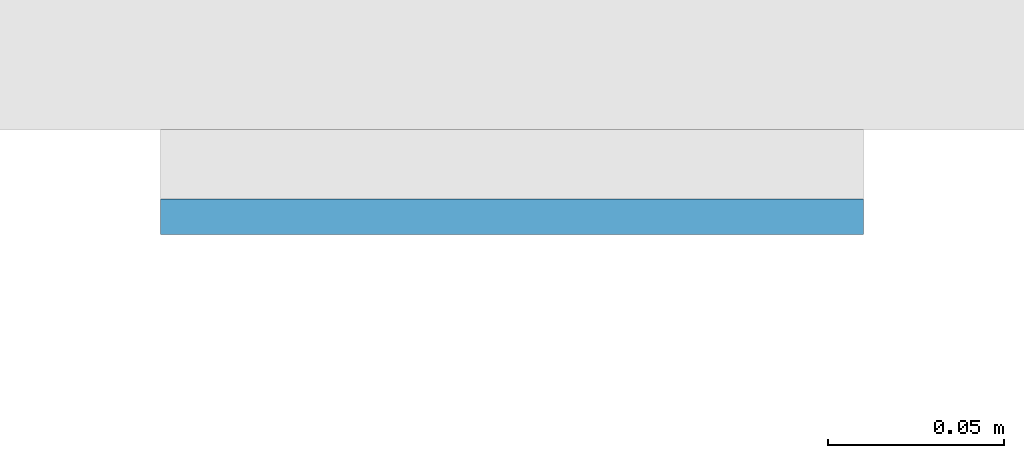
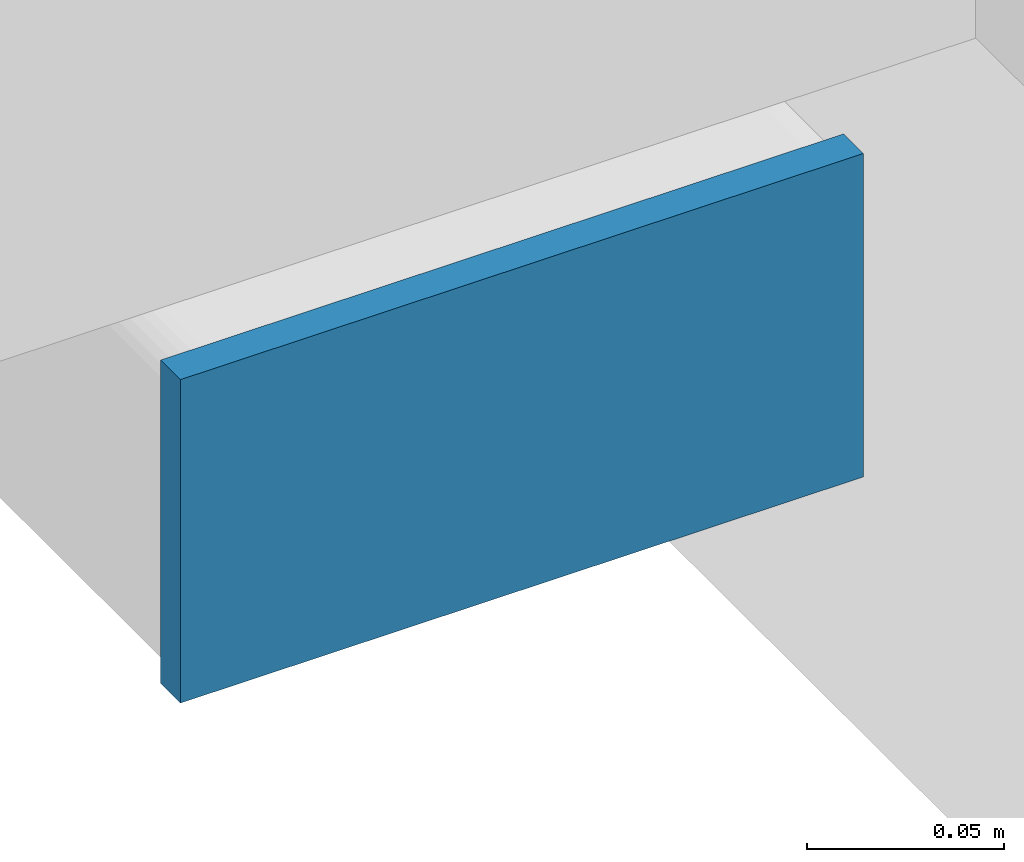
# One storey, part 8 of 20: 1 plate.
"""IFC4 building model written with IfcOpenShell, lengths in metres."""

import ifcopenshell
import ifcopenshell.guid

model = None  # the IFC model being written
_history = None  # IfcOwnerHistory: only IFC2X3 demands one
_inside = {}  # id of a spatial element -> (the spatial element, [elements in it])
_under = {}  # id of a project, library or spatial element -> (it, [spatial elements below it])
_declared = {}  # id of a project -> (the project, [libraries it declares])
_typed = {}  # id of a type object -> (the type object, [elements of that type])
_made_of = {}  # id of a material, layer set ... -> (it, [elements and type objects made of it])


def new_model(schema):
    """Start an empty IFC model of exactly this schema.

    Asked for "IFC4X3", IfcOpenShell would pick the latest addendum, in which some entities
    have other attributes; the version numbers below select the first issue.
    IFC2X3 requires an IfcOwnerHistory on every rooted entity: one is made here for all.
    """
    global model, _history
    if schema == "IFC4X3":
        model = ifcopenshell.file(schema_version=(4, 3, 0, 0))
    else:
        model = ifcopenshell.file(schema=schema)
    _inside.clear()
    _under.clear()
    _declared.clear()
    _typed.clear()
    _made_of.clear()
    _history = None
    if model.schema == "IFC2X3":
        org = make("IfcOrganization", Name="unknown")
        user = make(
            "IfcPersonAndOrganization",
            ThePerson=make("IfcPerson", FamilyName="unknown"),
            TheOrganization=org,
        )
        app = make(
            "IfcApplication",
            ApplicationDeveloper=org,
            Version="unknown",
            ApplicationFullName="unknown",
            ApplicationIdentifier="unknown",
        )
        _history = make(
            "IfcOwnerHistory",
            OwningUser=user,
            OwningApplication=app,
            ChangeAction="ADDED",
            CreationDate=0,
        )
    return model


def make(cls, **values):
    """One entity of the class cls with the attributes given. An attribute that is None is left unset."""
    return model.create_entity(
        cls, **{name: value for name, value in values.items() if value is not None}
    )


def rooted(cls, **values):
    """An entity with a GlobalId (a new one), such as an element, a storey or a relation."""
    return make(cls, GlobalId=ifcopenshell.guid.new(), OwnerHistory=_history, **values)


def si_unit(unit_type, name, prefix=None):
    """IfcSIUnit, for example si_unit("LENGTHUNIT", "METRE", prefix="MILLI")."""
    return make("IfcSIUnit", UnitType=unit_type, Prefix=prefix, Name=name)


def assignment(units):
    """IfcUnitAssignment: the units of a project."""
    return None if units is None else make("IfcUnitAssignment", Units=units)


def point(xyz):
    """IfcCartesianPoint."""
    return None if xyz is None else make("IfcCartesianPoint", Coordinates=xyz)


def direction(xyz):
    """IfcDirection."""
    return None if xyz is None else make("IfcDirection", DirectionRatios=xyz)


def frame(location, z_axis=None, x_axis=None):
    """IfcAxis2Placement3D, a coordinate frame: its origin and axes. An axis left out is left unset."""
    return make(
        "IfcAxis2Placement3D",
        Location=point(location),
        Axis=direction(z_axis),
        RefDirection=direction(x_axis),
    )


def frame_2d(location, x_axis=None):
    """IfcAxis2Placement2D, a coordinate frame in the plane: its origin and x axis."""
    return make(
        "IfcAxis2Placement2D", Location=point(location), RefDirection=direction(x_axis)
    )


def origin():
    """The frame at (0, 0, 0) with its axes left unset."""
    return frame((0.0, 0.0, 0.0))


def origin_2d():
    """The frame at (0, 0) in the plane with its x axis left unset."""
    return frame_2d((0.0, 0.0))


def place(relative_to, where):
    """IfcLocalPlacement: puts the frame where relative to a parent placement (None: the world)."""
    return make(
        "IfcLocalPlacement", PlacementRelTo=relative_to, RelativePlacement=where
    )


def context(
    kind, dimensions, precision=None, world=None, true_north=None, identifier=None
):
    """IfcGeometricRepresentationContext, for example the 3D "Model" context."""
    return make(
        "IfcGeometricRepresentationContext",
        ContextIdentifier=identifier,
        ContextType=kind,
        CoordinateSpaceDimension=dimensions,
        Precision=precision,
        WorldCoordinateSystem=world,
        TrueNorth=true_north,
    )


def subcontext(parent, identifier, kind, view, scale=None):
    """IfcGeometricRepresentationSubContext, for example "Body" below "Model"."""
    return make(
        "IfcGeometricRepresentationSubContext",
        ContextIdentifier=identifier,
        ContextType=kind,
        ParentContext=parent,
        TargetScale=scale,
        TargetView=view,
    )


def project(units=None, contexts=None):
    """IfcProject with its units and contexts."""
    return rooted(
        "IfcProject",
        Name="project",
        RepresentationContexts=contexts,
        UnitsInContext=assignment(units),
    )


def spatial(cls, under=None, at=None, **own):
    """A site, building, storey or space (cls), placed at a placement, below another one or the project."""
    s = rooted(cls, ObjectPlacement=at, **own)
    if under is not None:
        _under.setdefault(under.id(), (under, []))[1].append(s)
    return s


def profile(cls, at=None, kind="AREA", **sizes):
    """A parametric profile (cls). Its sizes go by their IFC names, for example OverallWidth=200.0."""
    return make(cls, ProfileType=kind, Position=at, **sizes)


def rectangle(**sizes):
    """IfcRectangleProfileDef."""
    return profile("IfcRectangleProfileDef", **sizes)


def extrude(swept, where, along, depth):
    """IfcExtrudedAreaSolid: the profile swept, set in the frame where, extruded along a direction by depth."""
    return make(
        "IfcExtrudedAreaSolid",
        SweptArea=swept,
        Position=where,
        ExtrudedDirection=direction(along),
        Depth=depth,
    )


def shape(context_of_items, identifier, shape_type, items):
    """IfcShapeRepresentation: the items that make up one representation, for example the "Body"."""
    return make(
        "IfcShapeRepresentation",
        ContextOfItems=context_of_items,
        RepresentationIdentifier=identifier,
        RepresentationType=shape_type,
        Items=items,
    )


def material(Name=None, Category=None):
    """IfcMaterial."""
    return make("IfcMaterial", Name=Name, Category=Category)


def layer(
    of_material, thickness, ventilated=None, Name=None, Category=None, Priority=None
):
    """IfcMaterialLayer: one layer of a wall or slab, of a material (None: an air gap)."""
    return make(
        "IfcMaterialLayer",
        Material=of_material,
        LayerThickness=thickness,
        IsVentilated=ventilated,
        Name=Name,
        Category=Category,
        Priority=Priority,
    )


def layer_set(layers, Name=None):
    """IfcMaterialLayerSet."""
    return make("IfcMaterialLayerSet", MaterialLayers=layers, LayerSetName=Name)


def made_of(thing, what):
    """Note that an element or type object is made of a material, layer set ...; save() writes the relation."""
    if what is not None:
        _made_of.setdefault(what.id(), (what, []))[1].append(thing)
    return thing


def type_object(cls, material=None, **own):
    """A type object (cls), such as IfcWallType, which elements share."""
    return made_of(rooted(cls, **own), material)


def element(
    cls,
    number,
    at=None,
    inside=None,
    cuts=None,
    type_object=None,
    material=None,
    context=None,
    identifier="Body",
    shape_type=None,
    held_by="IfcProductDefinitionShape",
    body=None,
    shapes=None,
    **own,
):
    """One element of the class cls, such as IfcWall. Its Tag is "e" and its number.

    at: its placement. inside: the storey or other place that contains it. cuts: it is an
    opening in that element (IfcRelVoidsElement). A single representation is given by context,
    identifier, shape_type and body (its items); several are given by shapes. held_by: the class
    of the entity that holds the representations. save() writes the other relations.
    """
    e = rooted(cls, Tag="e%d" % number, ObjectPlacement=at, **own)
    if body is not None:
        shapes = [shape(context, identifier, shape_type, body)]
    if shapes is not None:
        e.Representation = make(held_by, Representations=shapes)
    if inside is not None:
        _inside.setdefault(inside.id(), (inside, []))[1].append(e)
    if cuts is not None:
        rooted(
            "IfcRelVoidsElement", RelatingBuildingElement=cuts, RelatedOpeningElement=e
        )
    if type_object is not None:
        _typed.setdefault(type_object.id(), (type_object, []))[1].append(e)
    return made_of(e, material)


def aggregate(whole, parts):
    """IfcRelAggregates: a whole, such as a stair, and the parts it consists of."""
    return rooted("IfcRelAggregates", RelatingObject=whole, RelatedObjects=parts)


def save(model, path):
    """Write the relations noted so far, then the file.

    IfcRelAggregates (storeys below a building ...), IfcRelContainedInSpatialStructure (elements
    in a storey), IfcRelDefinesByType, IfcRelAssociatesMaterial and IfcRelDeclares: one each for
    every whole, place, type object, material and project.
    """
    for whole, parts in _under.values():
        aggregate(whole, parts)
    for where, things in _inside.values():
        rooted(
            "IfcRelContainedInSpatialStructure",
            RelatedElements=things,
            RelatingStructure=where,
        )
    for kind, things in _typed.values():
        rooted("IfcRelDefinesByType", RelatedObjects=things, RelatingType=kind)
    for what, things in _made_of.values():
        rooted("IfcRelAssociatesMaterial", RelatedObjects=things, RelatingMaterial=what)
    for by, libraries in _declared.values():
        rooted("IfcRelDeclares", RelatingContext=by, RelatedDefinitions=libraries)
    model.write(path)


model = new_model("IFC4")

# Units and contexts
model_context = context("Model", 3, precision=1e-05, world=origin(), true_north=direction((0.0, 1.0)))
body_context = subcontext(model_context, "Body", "Model", "MODEL_VIEW")
ifc_project = project(units=[si_unit("LENGTHUNIT", "METRE"), si_unit("AREAUNIT", "SQUARE_METRE"), si_unit("VOLUMEUNIT", "CUBIC_METRE"), si_unit("PLANEANGLEUNIT", "RADIAN"), si_unit("MASSUNIT", "GRAM", prefix="KILO")], contexts=[model_context])

# Site, building, storey
site_placement = place(None, origin())
site = spatial("IfcSite", under=ifc_project, at=site_placement, CompositionType="ELEMENT")
building_placement = place(site_placement, origin())
building = spatial("IfcBuilding", under=site, at=building_placement, Name="Cleftline Residences", CompositionType="ELEMENT")
storey_placement = place(building_placement, frame((0.0, 0.0, 54.800048828125)))
storey = spatial("IfcBuildingStorey", under=building, at=storey_placement, Name="L13", CompositionType="ELEMENT", Elevation=54.800048828125)

# Plate
ifc_material = material(Name="Steel S355, hot-dip galvanised", Category="steel")
ifc_layer = layer(ifc_material, 0.010009765625)
ifc_layer_set = layer_set([ifc_layer], Name="BAGUETTE CARRIER END PLATE 200X100X10")
plate_type = type_object("IfcPlateType", Name="BAGUETTE CARRIER END PLATE 200X100X10", PredefinedType="USERDEFINED", material=ifc_layer_set)
plate_placement = place(storey_placement, frame((-0.85009765625, 3.695068359375, -0.10009765625), z_axis=(0.0, 0.0, 1.0), x_axis=(-1.0, 0.0, 0.0)))
element("IfcPlate", 1, at=plate_placement, inside=storey, type_object=plate_type, Name="Baguette carrier end plate", ObjectType="BAGUETTE CARRIER END PLATE", PredefinedType="USERDEFINED", context=body_context, shape_type="SweptSolid", body=[
    extrude(rectangle(XDim=0.199951171875, YDim=0.010009765625, at=origin_2d()), origin(), (0.0, 0.0, 1.0), 0.10009765625),
])

save(model, "model.ifc")
